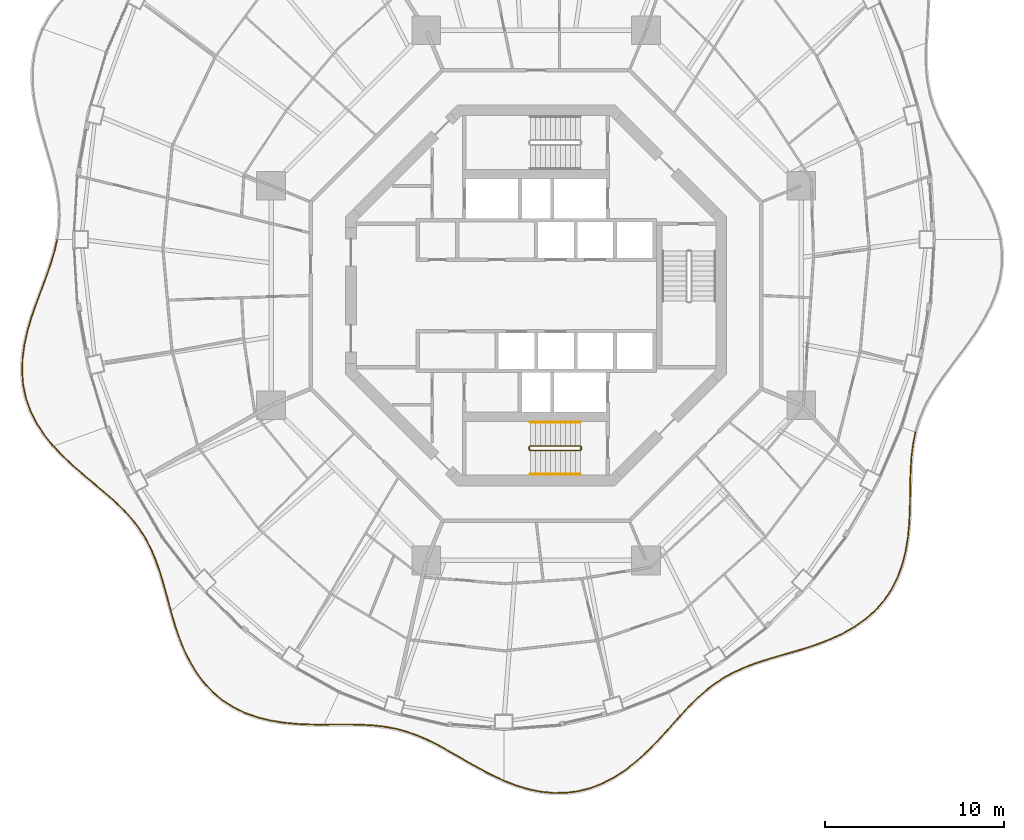
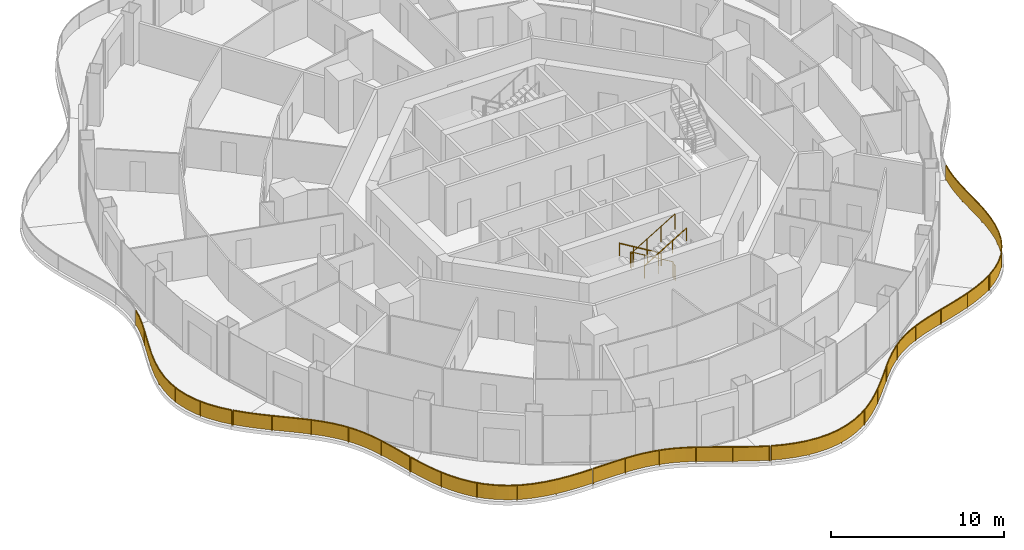
# One storey, part 16 of 18: 10 railings.
"""IFC4 building model written with IfcOpenShell, lengths in metres."""

from ifc_helpers import new_model, si_unit, direction, frame, origin, origin_2d, place, context, subcontext, project, spatial, polyline, rectangle, circle, outline, extrude, material, type_object, element, save


model = new_model("IFC4")

# Units and contexts
model_context = context("Model", 3, precision=1e-05, world=origin(), true_north=direction((0.0, 1.0)))
body_context = subcontext(model_context, "Body", "Model", "MODEL_VIEW")
ifc_project = project(units=[si_unit("LENGTHUNIT", "METRE"), si_unit("AREAUNIT", "SQUARE_METRE"), si_unit("VOLUMEUNIT", "CUBIC_METRE"), si_unit("PLANEANGLEUNIT", "RADIAN"), si_unit("MASSUNIT", "GRAM", prefix="KILO")], contexts=[model_context])

# Site, building, storey
site_placement = place(None, origin())
site = spatial("IfcSite", under=ifc_project, at=site_placement, CompositionType="ELEMENT")
building_placement = place(site_placement, origin())
building = spatial("IfcBuilding", under=site, at=building_placement, Name="Nagisa Residences", CompositionType="ELEMENT")
storey_placement = place(building_placement, frame((0.0, 0.0, 241.800048828125)))
storey = spatial("IfcBuildingStorey", under=building, at=storey_placement, Name="L61", CompositionType="ELEMENT", Elevation=241.800048828125)

# Railings
ifc_material_1 = material(Name="Stainless steel 316", Category="steel")
railing_type_1 = type_object("IfcRailingType", Name="BALCONY GUARD 1100", PredefinedType="BALUSTRADE", material=ifc_material_1)
railing_1_placement = place(storey_placement, frame((-26.71826171875, 3.08349609375, 0.0)))
element("IfcRailing", 1, at=railing_1_placement, inside=storey, type_object=railing_type_1, Name="guard:L61:bal08-0", PredefinedType="BALUSTRADE", context=body_context, shape_type="SweptSolid", body=[
    extrude(outline(polyline([(-0.12744140625, -0.65771484375), (0.0244140625, -0.005615234375), (-0.0244140625, 0.005615234375), (-0.17578125, -0.64501953125), (-0.386962890625, -1.345947265625), (-0.63671875, -2.060302734375), (-0.908447265625, -2.789794921875), (-1.184326171875, -3.534912109375), (-1.446533203125, -4.2802734375), (-1.672607421875, -5.05029296875), (-1.845947265625, -5.82666015625), (-1.95068359375, -6.60400390625), (-1.974365234375, -7.375244140625), (-1.91064453125, -8.119873046875), (-1.748779296875, -8.85888671875), (-1.491943359375, -9.572509765625), (-1.144775390625, -10.255615234375), (-0.7158203125, -10.905029296875), (-0.244873046875, -11.482421875), (-0.206298828125, -11.45068359375), (-0.67529296875, -10.875244140625), (-1.101318359375, -10.230224609375), (-1.446044921875, -9.552490234375), (-1.700439453125, -8.84521484375), (-1.86083984375, -8.112548828125), (-1.924072265625, -7.373779296875), (-1.90087890625, -6.60791015625), (-1.796630859375, -5.83544921875), (-1.624267578125, -5.06298828125), (-1.398681640625, -4.29541015625), (-1.137451171875, -3.552001953125), (-0.861572265625, -2.807373046875), (-0.58984375, -2.077392578125), (-0.339599609375, -1.361572265625), (-0.12744140625, -0.65771484375)])), frame((0.0, 0.0, 1.050048828125)), (0.0, 0.0, 1.0), 0.050048828125),
    extrude(outline(polyline([(-0.144775390625, -0.653076171875), (0.0068359375, -0.00146484375), (-0.0068359375, 0.00146484375), (-0.158447265625, -0.649658203125), (-0.369873046875, -1.3515625), (-0.619873046875, -2.06640625), (-0.8916015625, -2.796142578125), (-1.16748046875, -3.541015625), (-1.42919921875, -4.28564453125), (-1.6552734375, -5.054931640625), (-1.828125, -5.829833984375), (-1.932861328125, -6.60546875), (-1.956298828125, -7.374755859375), (-1.892578125, -8.1171875), (-1.7314453125, -8.85400390625), (-1.475341796875, -9.565185546875), (-1.129150390625, -10.246337890625), (-0.701171875, -10.894287109375), (-0.23095703125, -11.470947265625), (-0.22021484375, -11.462158203125), (-0.68994140625, -10.885986328125), (-1.116943359375, -10.239501953125), (-1.462646484375, -9.559814453125), (-1.7177734375, -8.85009765625), (-1.87890625, -8.115234375), (-1.942138671875, -7.374267578125), (-1.918701171875, -6.6064453125), (-1.814453125, -5.832275390625), (-1.6416015625, -5.058349609375), (-1.416015625, -4.2900390625), (-1.154296875, -3.5458984375), (-0.87841796875, -2.801025390625), (-0.606689453125, -2.0712890625), (-0.356689453125, -1.35595703125), (-0.144775390625, -0.653076171875)])), frame((0.0, 0.0, 0.06005859375)), (0.0, 0.0, 1.0), 0.989990234375),
    extrude(rectangle(XDim=0.0400390625, YDim=0.0400390625, at=origin_2d()), origin(), (0.0, 0.0, 1.0), 1.050048828125),
    extrude(rectangle(XDim=0.0400390625, YDim=0.0400390625, at=origin_2d()), frame((-0.57177734375, -1.949951171875, 0.0)), (0.0, 0.0, 1.0), 1.050048828125),
    extrude(rectangle(XDim=0.0400390625, YDim=0.0400390625, at=origin_2d()), frame((-1.27197265625, -3.859130859375, 0.0)), (0.0, 0.0, 1.0), 1.050048828125),
    extrude(rectangle(XDim=0.0400390625, YDim=0.0400390625, at=origin_2d()), frame((-1.81787109375, -5.816162109375, 0.0)), (0.0, 0.0, 1.0), 1.050048828125),
    extrude(rectangle(XDim=0.0400390625, YDim=0.0400390625, at=origin_2d()), frame((-1.909423828125, -7.840576171875, 0.0)), (0.0, 0.0, 1.0), 1.050048828125),
    extrude(rectangle(XDim=0.0400390625, YDim=0.0400390625, at=origin_2d()), frame((-1.356201171875, -9.784423828125, 0.0)), (0.0, 0.0, 1.0), 1.050048828125),
    extrude(rectangle(XDim=0.0400390625, YDim=0.0400390625, at=origin_2d()), frame((-0.2255859375, -11.466552734375, 0.0)), (0.0, 0.0, 1.0), 1.050048828125),
])
railing_2_placement = place(storey_placement, frame((-26.89208984375, -8.440673828125, 0.0)))
element("IfcRailing", 2, at=railing_2_placement, inside=storey, type_object=railing_type_1, Name="guard:L61:bal09-0", PredefinedType="BALUSTRADE", context=body_context, shape_type="SweptSolid", body=[
    extrude(outline(polyline([(0.52099609375, -0.51025390625), (0.01806640625, 0.017333984375), (-0.01806640625, -0.017333984375), (0.48583984375, -0.5458984375), (1.054931640625, -1.0810546875), (1.642333984375, -1.5927734375), (2.231689453125, -2.0869140625), (2.807373046875, -2.57177734375), (3.34912109375, -3.042236328125), (3.858642578125, -3.533203125), (4.3212890625, -4.0400390625), (4.732421875, -4.570556640625), (5.091552734375, -5.131103515625), (5.39306640625, -5.713623046875), (5.659423828125, -6.3447265625), (5.891357421875, -7.01220703125), (6.1005859375, -7.712158203125), (6.2998046875, -8.43896484375), (6.489013671875, -9.140625), (6.537353515625, -9.12744140625), (6.34814453125, -8.42578125), (6.14892578125, -7.698486328125), (5.939208984375, -6.99658203125), (5.706298828125, -6.32666015625), (5.4384765625, -5.692138671875), (5.135009765625, -5.106201171875), (4.7734375, -4.541748046875), (4.359375, -4.0078125), (3.894287109375, -3.498046875), (3.3828125, -3.005126953125), (2.840087890625, -2.53369140625), (2.263916015625, -2.048828125), (1.675048828125, -1.5546875), (1.088623046875, -1.0439453125), (0.52099609375, -0.51025390625)])), frame((0.0, 0.0, 1.050048828125)), (0.0, 0.0, 1.0), 0.050048828125),
    extrude(outline(polyline([(0.50830078125, -0.523193359375), (0.005126953125, 0.0048828125), (-0.005126953125, -0.0048828125), (0.49853515625, -0.532958984375), (1.067138671875, -1.067626953125), (1.654052734375, -1.5791015625), (2.243408203125, -2.0732421875), (2.819091796875, -2.55810546875), (3.361328125, -3.02880859375), (3.871337890625, -3.5205078125), (4.3349609375, -4.0283203125), (4.747314453125, -4.560302734375), (5.107177734375, -5.1220703125), (5.409423828125, -5.705810546875), (5.67626953125, -6.338134765625), (5.90869140625, -7.006591796875), (6.117919921875, -7.707275390625), (6.317138671875, -8.434326171875), (6.50634765625, -9.1357421875), (6.52001953125, -9.13232421875), (6.330810546875, -8.430419921875), (6.131591796875, -7.703369140625), (5.921875, -7.002197265625), (5.689453125, -6.333251953125), (5.422119140625, -5.699951171875), (5.119384765625, -5.115234375), (4.758544921875, -4.552001953125), (4.345703125, -4.01953125), (3.881591796875, -3.5107421875), (3.37060546875, -3.0185546875), (2.828369140625, -2.54736328125), (2.252197265625, -2.0625), (1.663330078125, -1.568359375), (1.076416015625, -1.057373046875), (0.50830078125, -0.523193359375)])), frame((0.0, 0.0, 0.06005859375)), (0.0, 0.0, 1.0), 0.989990234375),
    extrude(rectangle(XDim=0.0400390625, YDim=0.0400390625, at=origin_2d()), origin(), (0.0, 0.0, 1.0), 1.050048828125),
    extrude(rectangle(XDim=0.0400390625, YDim=0.0400390625, at=origin_2d()), frame((1.672607421875, -1.58544921875, 0.0)), (0.0, 0.0, 1.0), 1.050048828125),
    extrude(rectangle(XDim=0.0400390625, YDim=0.0400390625, at=origin_2d()), frame((3.4267578125, -3.082275390625, 0.0)), (0.0, 0.0, 1.0), 1.050048828125),
    extrude(rectangle(XDim=0.0400390625, YDim=0.0400390625, at=origin_2d()), frame((4.92578125, -4.825927734375, 0.0)), (0.0, 0.0, 1.0), 1.050048828125),
    extrude(rectangle(XDim=0.0400390625, YDim=0.0400390625, at=origin_2d()), frame((5.88427734375, -6.91552734375, 0.0)), (0.0, 0.0, 1.0), 1.050048828125),
    extrude(rectangle(XDim=0.0400390625, YDim=0.0400390625, at=origin_2d()), frame((6.51318359375, -9.134033203125, 0.0)), (0.0, 0.0, 1.0), 1.050048828125),
])
railing_3_placement = place(storey_placement, frame((-20.359619140625, -17.648681640625, 0.0)))
element("IfcRailing", 3, at=railing_3_placement, inside=storey, type_object=railing_type_1, Name="guard:L61:bal10-0", PredefinedType="BALUSTRADE", context=body_context, shape_type="SweptSolid", body=[
    extrude(outline(polyline([(0.218994140625, -0.666259765625), (0.02392578125, 0.007080078125), (-0.02392578125, -0.007080078125), (0.171142578125, -0.681396484375), (0.409912109375, -1.394775390625), (0.687255859375, -2.0927734375), (1.011962890625, -2.763916015625), (1.39013671875, -3.396240234375), (1.8134765625, -3.968994140625), (2.308349609375, -4.494140625), (2.8603515625, -4.953857421875), (3.46630859375, -5.343505859375), (4.11962890625, -5.661865234375), (4.801025390625, -5.9013671875), (5.5224609375, -6.081298828125), (6.267333984375, -6.203125), (7.02294921875, -6.275146484375), (7.780517578125, -6.30859375), (8.485595703125, -6.3134765625), (8.486083984375, -6.263671875), (7.781982421875, -6.2587890625), (7.0263671875, -6.225341796875), (6.273681640625, -6.1533203125), (5.53271484375, -6.032470703125), (4.815185546875, -5.853515625), (4.13916015625, -5.615478515625), (3.49072265625, -5.300048828125), (2.89013671875, -4.913330078125), (2.342529296875, -4.45751953125), (1.85205078125, -3.936767578125), (1.431640625, -3.368408203125), (1.055908203125, -2.739990234375), (0.733154296875, -2.07275390625), (0.456787109375, -1.377685546875), (0.218994140625, -0.666259765625)])), frame((0.0, 0.0, 1.050048828125)), (0.0, 0.0, 1.0), 0.050048828125),
    extrude(outline(polyline([(0.20166015625, -0.671630859375), (0.0068359375, 0.001953125), (-0.0068359375, -0.001953125), (0.1884765625, -0.676025390625), (0.4267578125, -1.388671875), (0.703857421875, -2.085693359375), (1.02783203125, -2.75537109375), (1.405029296875, -3.38623046875), (1.827392578125, -3.957275390625), (2.320556640625, -4.48095703125), (2.87109375, -4.939208984375), (3.47509765625, -5.327880859375), (4.126708984375, -5.645263671875), (4.80615234375, -5.884033203125), (5.526123046875, -6.063720703125), (6.26953125, -6.18505859375), (7.024169921875, -6.25732421875), (7.781005859375, -6.290771484375), (8.48583984375, -6.295654296875), (8.48583984375, -6.281494140625), (7.781494140625, -6.276611328125), (7.025146484375, -6.2431640625), (6.271484375, -6.17138671875), (5.529052734375, -6.050048828125), (4.81005859375, -5.870849609375), (4.132080078125, -5.632080078125), (3.48193359375, -5.315673828125), (2.87939453125, -4.927978515625), (2.330322265625, -4.470703125), (1.838134765625, -3.948486328125), (1.416748046875, -3.37841796875), (1.0400390625, -2.74853515625), (0.716552734375, -2.079833984375), (0.43994140625, -1.3837890625), (0.20166015625, -0.671630859375)])), frame((0.0, 0.0, 0.06005859375)), (0.0, 0.0, 1.0), 0.989990234375),
    extrude(rectangle(XDim=0.0400390625, YDim=0.0400390625, at=origin_2d()), origin(), (0.0, 0.0, 1.0), 1.050048828125),
    extrude(rectangle(XDim=0.0400390625, YDim=0.0400390625, at=origin_2d()), frame((0.77001953125, -2.20654296875, 0.0)), (0.0, 0.0, 1.0), 1.050048828125),
    extrude(rectangle(XDim=0.0400390625, YDim=0.0400390625, at=origin_2d()), frame((2.03125, -4.16357421875, 0.0)), (0.0, 0.0, 1.0), 1.050048828125),
    extrude(rectangle(XDim=0.0400390625, YDim=0.0400390625, at=origin_2d()), frame((3.908203125, -5.531005859375, 0.0)), (0.0, 0.0, 1.0), 1.050048828125),
    extrude(rectangle(XDim=0.0400390625, YDim=0.0400390625, at=origin_2d()), frame((6.15185546875, -6.158935546875, 0.0)), (0.0, 0.0, 1.0), 1.050048828125),
    extrude(rectangle(XDim=0.0400390625, YDim=0.0400390625, at=origin_2d()), frame((8.48583984375, -6.28857421875, 0.0)), (0.0, 0.0, 1.0), 1.050048828125),
])
railing_4_placement = place(storey_placement, frame((-11.797607421875, -23.935791015625, 0.0)))
element("IfcRailing", 4, at=railing_4_placement, inside=storey, type_object=railing_type_1, Name="guard:L61:bal11-0", PredefinedType="BALUSTRADE", context=body_context, shape_type="SweptSolid", body=[
    extrude(outline(polyline([(0.664306640625, 0.0302734375), (-0.000244140625, 0.02490234375), (0.000244140625, -0.02490234375), (0.664794921875, -0.01953125), (1.35791015625, -0.0185546875), (2.031005859375, -0.031005859375), (2.682373046875, -0.068115234375), (3.31298828125, -0.138427734375), (3.908203125, -0.244384765625), (4.5048828125, -0.399658203125), (5.091552734375, -0.601318359375), (5.673583984375, -0.847412109375), (6.256103515625, -1.134033203125), (6.827880859375, -1.451171875), (7.427978515625, -1.794677734375), (8.04296875, -2.14990234375), (8.675537109375, -2.50390625), (9.3271484375, -2.842529296875), (9.952392578125, -3.13427734375), (9.973388671875, -3.0888671875), (9.34912109375, -2.797607421875), (8.699462890625, -2.4599609375), (8.06787109375, -2.1064453125), (7.452880859375, -1.751220703125), (6.852294921875, -1.40771484375), (6.279541015625, -1.089599609375), (5.694580078125, -0.802001953125), (5.109619140625, -0.554443359375), (4.51953125, -0.351806640625), (3.9189453125, -0.195556640625), (3.3203125, -0.089111328125), (2.686767578125, -0.018310546875), (2.032958984375, 0.018798828125), (1.3583984375, 0.03173828125), (0.664306640625, 0.0302734375)])), frame((0.0, 0.0, 1.050048828125)), (0.0, 0.0, 1.0), 0.050048828125),
    extrude(outline(polyline([(0.66455078125, 0.012451171875), (0.0, 0.007080078125), (0.0, -0.007080078125), (0.66455078125, -0.001708984375), (1.358154296875, -0.00048828125), (2.03173828125, -0.01318359375), (2.68408203125, -0.05029296875), (3.315673828125, -0.12060546875), (3.912109375, -0.226806640625), (4.51025390625, -0.38232421875), (5.09814453125, -0.58447265625), (5.68115234375, -0.8310546875), (6.2646484375, -1.117919921875), (6.836669921875, -1.435546875), (7.43701171875, -1.779052734375), (8.052001953125, -2.13427734375), (8.68408203125, -2.488037109375), (9.3349609375, -2.826416015625), (9.9599609375, -3.117919921875), (9.9658203125, -3.105224609375), (9.34130859375, -2.813720703125), (8.69091796875, -2.475830078125), (8.058837890625, -2.1220703125), (7.44384765625, -1.766845703125), (6.843505859375, -1.42333984375), (6.27099609375, -1.105712890625), (5.68701171875, -0.818359375), (5.10302734375, -0.5712890625), (4.51416015625, -0.369140625), (3.9150390625, -0.213134765625), (3.317626953125, -0.10693359375), (2.68505859375, -0.0361328125), (2.0322265625, 0.0009765625), (1.358154296875, 0.013671875), (0.66455078125, 0.012451171875)])), frame((0.0, 0.0, 0.06005859375)), (0.0, 0.0, 1.0), 0.989990234375),
    extrude(rectangle(XDim=0.0400390625, YDim=0.0400390625, at=origin_2d()), origin(), (0.0, 0.0, 1.0), 1.050048828125),
    extrude(rectangle(XDim=0.0400390625, YDim=0.0400390625, at=origin_2d()), frame((2.130859375, -0.01171875, 0.0)), (0.0, 0.0, 1.0), 1.050048828125),
    extrude(rectangle(XDim=0.0400390625, YDim=0.0400390625, at=origin_2d()), frame((4.2373046875, -0.30419921875, 0.0)), (0.0, 0.0, 1.0), 1.050048828125),
    extrude(rectangle(XDim=0.0400390625, YDim=0.0400390625, at=origin_2d()), frame((6.21484375, -1.085693359375, 0.0)), (0.0, 0.0, 1.0), 1.050048828125),
    extrude(rectangle(XDim=0.0400390625, YDim=0.0400390625, at=origin_2d()), frame((8.069091796875, -2.135986328125, 0.0)), (0.0, 0.0, 1.0), 1.050048828125),
    extrude(rectangle(XDim=0.0400390625, YDim=0.0400390625, at=origin_2d()), frame((9.962890625, -3.111572265625, 0.0)), (0.0, 0.0, 1.0), 1.050048828125),
])
railing_5_placement = place(storey_placement, frame((-1.76416015625, -27.07861328125, 0.0)))
element("IfcRailing", 5, at=railing_5_placement, inside=storey, type_object=railing_type_1, Name="guard:L61:bal12-0", PredefinedType="BALUSTRADE", context=body_context, shape_type="SweptSolid", body=[
    extrude(outline(polyline([(0.648193359375, -0.2275390625), (0.009033203125, 0.023193359375), (-0.009033203125, -0.023193359375), (0.631591796875, -0.27490234375), (1.331298828125, -0.4853515625), (2.03955078125, -0.62939453125), (2.750732421875, -0.6982421875), (3.456787109375, -0.6865234375), (4.140380859375, -0.593994140625), (4.823974609375, -0.416015625), (5.486083984375, -0.15869140625), (6.123046875, 0.172119140625), (6.731689453125, 0.56689453125), (7.29345703125, 1.009765625), (7.842529296875, 1.498291015625), (8.364013671875, 2.01416015625), (8.86181640625, 2.5439453125), (9.341064453125, 3.07373046875), (9.775634765625, 3.560302734375), (9.738525390625, 3.593505859375), (9.303955078125, 3.107421875), (8.8251953125, 2.57763671875), (8.328369140625, 2.04931640625), (7.808349609375, 1.534912109375), (7.26123046875, 1.04833984375), (6.702392578125, 0.607421875), (6.09765625, 0.215576171875), (5.465576171875, -0.11279296875), (4.808349609375, -0.3681640625), (4.130615234375, -0.544677734375), (3.452880859375, -0.63671875), (2.752685546875, -0.64794921875), (2.046875, -0.57958984375), (1.343505859375, -0.4365234375), (0.648193359375, -0.2275390625)])), frame((0.0, 0.0, 1.050048828125)), (0.0, 0.0, 1.0), 0.050048828125),
    extrude(outline(polyline([(0.64208984375, -0.24462890625), (0.00244140625, 0.006591796875), (-0.00244140625, -0.006591796875), (0.6376953125, -0.2578125), (1.335693359375, -0.4677734375), (2.042236328125, -0.611328125), (2.75146484375, -0.68017578125), (3.455322265625, -0.668701171875), (4.136962890625, -0.576171875), (4.818359375, -0.398681640625), (5.478759765625, -0.14208984375), (6.11376953125, 0.187744140625), (6.72119140625, 0.58154296875), (7.28173828125, 1.023681640625), (7.830322265625, 1.511474609375), (8.351318359375, 2.02685546875), (8.8486328125, 2.55615234375), (9.32763671875, 3.0859375), (9.76220703125, 3.572265625), (9.751953125, 3.58154296875), (9.3173828125, 3.09521484375), (8.83837890625, 2.5654296875), (8.341064453125, 2.03662109375), (7.820556640625, 1.521728515625), (7.27294921875, 1.034423828125), (6.712890625, 0.5927734375), (6.10693359375, 0.199951171875), (5.472900390625, -0.12939453125), (4.81396484375, -0.385498046875), (4.134033203125, -0.5625), (3.454345703125, -0.654541015625), (2.751953125, -0.666015625), (2.044189453125, -0.59765625), (1.339111328125, -0.4541015625), (0.64208984375, -0.24462890625)])), frame((0.0, 0.0, 0.06005859375)), (0.0, 0.0, 1.0), 0.989990234375),
    extrude(rectangle(XDim=0.0400390625, YDim=0.0400390625, at=origin_2d()), origin(), (0.0, 0.0, 1.0), 1.050048828125),
    extrude(rectangle(XDim=0.0400390625, YDim=0.0400390625, at=origin_2d()), frame((2.178466796875, -0.61767578125, 0.0)), (0.0, 0.0, 1.0), 1.050048828125),
    extrude(rectangle(XDim=0.0400390625, YDim=0.0400390625, at=origin_2d()), frame((4.431396484375, -0.4921875, 0.0)), (0.0, 0.0, 1.0), 1.050048828125),
    extrude(rectangle(XDim=0.0400390625, YDim=0.0400390625, at=origin_2d()), frame((6.4892578125, 0.439453125, 0.0)), (0.0, 0.0, 1.0), 1.050048828125),
    extrude(rectangle(XDim=0.0400390625, YDim=0.0400390625, at=origin_2d()), frame((8.21875, 1.905517578125, 0.0)), (0.0, 0.0, 1.0), 1.050048828125),
    extrude(rectangle(XDim=0.0400390625, YDim=0.0400390625, at=origin_2d()), frame((9.757080078125, 3.576904296875, 0.0)), (0.0, 0.0, 1.0), 1.050048828125),
])
railing_6_placement = place(storey_placement, frame((8.041748046875, -23.445068359375, 0.0)))
element("IfcRailing", 6, at=railing_6_placement, inside=storey, type_object=railing_type_1, Name="guard:L61:bal13-0", PredefinedType="BALUSTRADE", context=body_context, shape_type="SweptSolid", body=[
    extrude(outline(polyline([(0.428955078125, 0.499267578125), (-0.018310546875, 0.01708984375), (0.018310546875, -0.01708984375), (0.465087890625, 0.464599609375), (0.946044921875, 0.94384765625), (1.43798828125, 1.382568359375), (1.9482421875, 1.776123046875), (2.48291015625, 2.124267578125), (3.033447265625, 2.419921875), (3.6298828125, 2.6865234375), (4.2587890625, 2.922119140625), (4.91796875, 3.13623046875), (5.602783203125, 3.33984375), (6.294677734375, 3.533203125), (7.00830078125, 3.74951171875), (7.721435546875, 3.98974609375), (8.422119140625, 4.263427734375), (9.09912109375, 4.57958984375), (9.699951171875, 4.919677734375), (9.675537109375, 4.963134765625), (9.076171875, 4.6240234375), (8.402587890625, 4.309326171875), (7.704345703125, 4.03662109375), (6.9931640625, 3.79736328125), (6.280517578125, 3.5810546875), (5.589111328125, 3.3876953125), (4.9033203125, 3.18408203125), (4.2421875, 2.969482421875), (3.61083984375, 2.73291015625), (3.011474609375, 2.46484375), (2.45751953125, 2.167236328125), (1.91943359375, 1.817138671875), (1.40625, 1.421142578125), (0.911865234375, 0.98046875), (0.428955078125, 0.499267578125)])), frame((0.0, 0.0, 1.050048828125)), (0.0, 0.0, 1.0), 0.050048828125),
    extrude(outline(polyline([(0.44189453125, 0.48681640625), (-0.005126953125, 0.004638671875), (0.005126953125, -0.004638671875), (0.4521484375, 0.47705078125), (0.933837890625, 0.95703125), (1.426513671875, 1.396484375), (1.93798828125, 1.791015625), (2.473876953125, 2.1396484375), (3.025634765625, 2.43603515625), (3.623046875, 2.703125), (4.252685546875, 2.939208984375), (4.912841796875, 3.153564453125), (5.597900390625, 3.35693359375), (6.28955078125, 3.55029296875), (7.0029296875, 3.766845703125), (7.71533203125, 4.006591796875), (8.4150390625, 4.280029296875), (9.0908203125, 4.595458984375), (9.691162109375, 4.935302734375), (9.684326171875, 4.947509765625), (9.08447265625, 4.608154296875), (8.40966796875, 4.292724609375), (7.71044921875, 4.019775390625), (6.99853515625, 3.780029296875), (6.28564453125, 3.56396484375), (5.593994140625, 3.37060546875), (4.908447265625, 3.166748046875), (4.248291015625, 2.952392578125), (3.61767578125, 2.71630859375), (3.019287109375, 2.44873046875), (2.466552734375, 2.15185546875), (1.9296875, 1.80224609375), (1.417724609375, 1.4072265625), (0.924072265625, 0.96728515625), (0.44189453125, 0.48681640625)])), frame((0.0, 0.0, 0.06005859375)), (0.0, 0.0, 1.0), 0.989990234375),
    extrude(rectangle(XDim=0.0400390625, YDim=0.0400390625, at=origin_2d()), origin(), (0.0, 0.0, 1.0), 1.050048828125),
    extrude(rectangle(XDim=0.0400390625, YDim=0.0400390625, at=origin_2d()), frame((1.589599609375, 1.531005859375, 0.0)), (0.0, 0.0, 1.0), 1.050048828125),
    extrude(rectangle(XDim=0.0400390625, YDim=0.0400390625, at=origin_2d()), frame((3.486328125, 2.649658203125, 0.0)), (0.0, 0.0, 1.0), 1.050048828125),
    extrude(rectangle(XDim=0.0400390625, YDim=0.0400390625, at=origin_2d()), frame((5.57763671875, 3.3583984375, 0.0)), (0.0, 0.0, 1.0), 1.050048828125),
    extrude(rectangle(XDim=0.0400390625, YDim=0.0400390625, at=origin_2d()), frame((7.690185546875, 4.005615234375, 0.0)), (0.0, 0.0, 1.0), 1.050048828125),
    extrude(rectangle(XDim=0.0400390625, YDim=0.0400390625, at=origin_2d()), frame((9.687744140625, 4.94140625, 0.0)), (0.0, 0.0, 1.0), 1.050048828125),
])
railing_7_placement = place(storey_placement, frame((17.794921875, -18.462890625, 0.0)))
element("IfcRailing", 7, at=railing_7_placement, inside=storey, type_object=railing_type_1, Name="guard:L61:bal14-0", PredefinedType="BALUSTRADE", context=body_context, shape_type="SweptSolid", body=[
    extrude(outline(polyline([(0.56787109375, 0.4306640625), (-0.014404296875, 0.0205078125), (0.014404296875, -0.0205078125), (0.59912109375, 0.3916015625), (1.1591796875, 0.893310546875), (1.64892578125, 1.455322265625), (2.062255859375, 2.07373046875), (2.396484375, 2.741943359375), (2.648193359375, 3.4423828125), (2.83642578125, 4.18701171875), (2.96240234375, 4.954345703125), (3.03759765625, 5.73388671875), (3.075927734375, 6.515380859375), (3.086181640625, 7.27685546875), (3.097900390625, 8.036376953125), (3.1201171875, 8.775146484375), (3.16748046875, 9.4892578125), (3.253173828125, 10.1767578125), (3.378662109375, 10.798583984375), (3.329833984375, 10.808349609375), (3.203857421875, 10.18505859375), (3.11767578125, 9.494140625), (3.0703125, 8.777587890625), (3.048095703125, 8.037353515625), (3.036376953125, 7.27734375), (3.026123046875, 6.516845703125), (2.98779296875, 5.7373046875), (2.91259765625, 4.960693359375), (2.78759765625, 4.197265625), (2.600341796875, 3.45703125), (2.3505859375, 2.761474609375), (2.018798828125, 2.09912109375), (1.60888671875, 1.485595703125), (1.12353515625, 0.928466796875), (0.56787109375, 0.4306640625)])), frame((0.0, 0.0, 1.050048828125)), (0.0, 0.0, 1.0), 0.050048828125),
    extrude(outline(polyline([(0.5791015625, 0.41650390625), (-0.004150390625, 0.005615234375), (0.004150390625, -0.005615234375), (0.587890625, 0.40576171875), (1.146240234375, 0.906005859375), (1.634521484375, 1.46630859375), (2.046630859375, 2.0830078125), (2.3798828125, 2.7490234375), (2.630859375, 3.44775390625), (2.81884765625, 4.190673828125), (2.9443359375, 4.95654296875), (3.019775390625, 5.735107421875), (3.05810546875, 6.515869140625), (3.068359375, 7.277099609375), (3.080078125, 8.03662109375), (3.102294921875, 8.776123046875), (3.149658203125, 9.490966796875), (3.2353515625, 10.1796875), (3.361083984375, 10.802001953125), (3.347412109375, 10.804931640625), (3.2216796875, 10.18212890625), (3.135498046875, 9.492431640625), (3.088134765625, 8.776611328125), (3.06591796875, 8.037109375), (3.05419921875, 7.277099609375), (3.0439453125, 6.516357421875), (3.005615234375, 5.736083984375), (2.9306640625, 4.95849609375), (2.80517578125, 4.193603515625), (2.61767578125, 3.45166015625), (2.3671875, 2.75439453125), (2.034423828125, 2.08984375), (1.623291015625, 1.474609375), (1.136474609375, 0.915771484375), (0.5791015625, 0.41650390625)])), frame((0.0, 0.0, 0.06005859375)), (0.0, 0.0, 1.0), 0.989990234375),
    extrude(rectangle(XDim=0.0400390625, YDim=0.0400390625, at=origin_2d()), origin(), (0.0, 0.0, 1.0), 1.050048828125),
    extrude(rectangle(XDim=0.0400390625, YDim=0.0400390625, at=origin_2d()), frame((1.719970703125, 1.606689453125, 0.0)), (0.0, 0.0, 1.0), 1.050048828125),
    extrude(rectangle(XDim=0.0400390625, YDim=0.0400390625, at=origin_2d()), frame((2.69921875, 3.746337890625, 0.0)), (0.0, 0.0, 1.0), 1.050048828125),
    extrude(rectangle(XDim=0.0400390625, YDim=0.0400390625, at=origin_2d()), frame((3.030029296875, 6.086669921875, 0.0)), (0.0, 0.0, 1.0), 1.050048828125),
    extrude(rectangle(XDim=0.0400390625, YDim=0.0400390625, at=origin_2d()), frame((3.08544921875, 8.454345703125, 0.0)), (0.0, 0.0, 1.0), 1.050048828125),
    extrude(rectangle(XDim=0.0400390625, YDim=0.0400390625, at=origin_2d()), frame((3.354248046875, 10.803466796875, 0.0)), (0.0, 0.0, 1.0), 1.050048828125),
])
ifc_material_2 = material(Name="Stainless steel", Category="steel")
railing_type_2 = type_object("IfcRailingType", Name="Stair guard 1100", PredefinedType="GUARDRAIL", material=ifc_material_2)
railing_8_placement = place(storey_placement, frame((2.52490234375, -8.599609375, 0.0)))
element("IfcRailing", 8, at=railing_8_placement, inside=storey, type_object=railing_type_2, Name="L61 ST-S stair guard 1", PredefinedType="GUARDRAIL", context=body_context, shape_type="SweptSolid", body=[
    extrude(circle(Radius=0.02392578125, at=origin_2d()), frame((0.0, 0.0, 1.076171875), z_axis=(0.0, 1.0, 0.0), x_axis=(-1.0, 0.0, 0.0)), (0.0, 0.0, 1.0), 0.14990234375),
    extrude(circle(Radius=0.02392578125, at=origin_2d()), frame((0.0, 0.14990234375, 1.076171875), z_axis=(-0.273006030465, 0.27434429532, 0.922064485248), x_axis=(-0.708833529934, -0.705375805398, 0.0)), (0.0, 0.0, 1.0), 0.182373046875),
    extrude(circle(Radius=0.02392578125, at=origin_2d()), frame((-0.0498046875, 0.199951171875, 1.244140625), z_axis=(-0.857275202839, 0.0, 0.514858452973), x_axis=(0.0, -1.0, 0.0)), (0.0, 0.0, 1.0), 3.26611328125),
    extrude(circle(Radius=0.02392578125, at=origin_2d()), frame((-2.849853515625, 0.199951171875, 2.92578125), z_axis=(-0.707106781187, -0.707106781187, 0.0), x_axis=(0.707106781187, -0.707106781187, 0.0)), (0.0, 0.0, 1.0), 0.07080078125),
    extrude(circle(Radius=0.02392578125, at=origin_2d()), frame((-2.89990234375, 0.14990234375, 2.92578125), z_axis=(0.0, -1.0, 0.0), x_axis=(1.0, 0.0, 0.0)), (0.0, 0.0, 1.0), 0.14990234375),
    extrude(circle(Radius=0.02392578125, at=origin_2d()), frame((-2.89990234375, 0.0, 2.92578125), z_axis=(0.274243871929, -0.274243871929, 0.92172696468), x_axis=(0.707106781187, 0.707106781187, 0.0)), (0.0, 0.0, 1.0), 0.1826171875),
    extrude(circle(Radius=0.02392578125, at=origin_2d()), frame((-2.849853515625, -0.050048828125, 3.09423828125), z_axis=(0.857242210791, 0.0, 0.514913383045), x_axis=(0.0, 1.0, 0.0)), (0.0, 0.0, 1.0), 3.266357421875),
    extrude(circle(Radius=0.02099609375, at=origin_2d()), origin(), (0.0, 0.0, 1.0), 1.052001953125),
    extrude(circle(Radius=0.02099609375, at=origin_2d()), frame((0.0, 0.14990234375, 0.0)), (0.0, 0.0, 1.0), 1.052001953125),
    extrude(circle(Radius=0.02099609375, at=origin_2d()), frame((-0.0498046875, 0.199951171875, 0.168212890625)), (0.0, 0.0, 1.0), 1.052001953125),
    extrude(circle(Radius=0.02099609375, at=origin_2d()), frame((-0.983154296875, 0.199951171875, 0.728759765625)), (0.0, 0.0, 1.0), 1.052001953125),
    extrude(circle(Radius=0.02099609375, at=origin_2d()), frame((-1.91650390625, 0.199951171875, 1.289306640625)), (0.0, 0.0, 1.0), 1.052001953125),
    extrude(circle(Radius=0.02099609375, at=origin_2d()), frame((-2.849853515625, 0.199951171875, 1.849853515625)), (0.0, 0.0, 1.0), 1.052001953125),
    extrude(circle(Radius=0.02099609375, at=origin_2d()), frame((-2.89990234375, 0.14990234375, 1.849853515625)), (0.0, 0.0, 1.0), 1.052001953125),
    extrude(circle(Radius=0.02099609375, at=origin_2d()), frame((-2.89990234375, 0.0, 1.849853515625)), (0.0, 0.0, 1.0), 1.052001953125),
    extrude(circle(Radius=0.02099609375, at=origin_2d()), frame((-2.849853515625, -0.050048828125, 2.01806640625)), (0.0, 0.0, 1.0), 1.052001953125),
    extrude(circle(Radius=0.02099609375, at=origin_2d()), frame((-1.91650390625, -0.050048828125, 2.57861328125)), (0.0, 0.0, 1.0), 1.052001953125),
    extrude(circle(Radius=0.02099609375, at=origin_2d()), frame((-0.983154296875, -0.050048828125, 3.139404296875)), (0.0, 0.0, 1.0), 1.052001953125),
    extrude(circle(Radius=0.02099609375, at=origin_2d()), frame((-0.0498046875, -0.050048828125, 3.699951171875)), (0.0, 0.0, 1.0), 1.052001953125),
])
ifc_material_3 = material(Name="Stainless steel", Category="steel")
railing_type_3 = type_object("IfcRailingType", Name="Stair handrail 900", PredefinedType="HANDRAIL", material=ifc_material_3)
railing_9_placement = place(storey_placement, frame((2.47509765625, -7.07470703125, 0.168212890625)))
element("IfcRailing", 9, at=railing_9_placement, inside=storey, type_object=railing_type_3, Name="L61 ST-S stair handrail 1", PredefinedType="HANDRAIL", context=body_context, shape_type="SweptSolid", body=[
    extrude(circle(Radius=0.02392578125, at=origin_2d()), frame((0.0, 0.0, 0.8759765625), z_axis=(-0.857275202839, 0.0, 0.514858452973), x_axis=(0.0, -1.0, 0.0)), (0.0, 0.0, 1.0), 3.26611328125),
    extrude(circle(Radius=0.02099609375, at=origin_2d()), origin(), (0.0, 0.0, 1.0), 0.851806640625),
    extrude(circle(Radius=0.02099609375, at=origin_2d()), frame((-0.933349609375, 0.0, 0.560546875)), (0.0, 0.0, 1.0), 0.851806640625),
    extrude(circle(Radius=0.02099609375, at=origin_2d()), frame((-1.86669921875, 0.0, 1.12109375)), (0.0, 0.0, 1.0), 0.851806640625),
    extrude(circle(Radius=0.02099609375, at=origin_2d()), frame((-2.800048828125, 0.0, 1.681640625)), (0.0, 0.0, 1.0), 0.851806640625),
])
railing_10_placement = place(storey_placement, frame((-0.324951171875, -9.974609375, 2.01806640625)))
element("IfcRailing", 10, at=railing_10_placement, inside=storey, type_object=railing_type_3, Name="L61 ST-S stair handrail 2", PredefinedType="HANDRAIL", context=body_context, shape_type="SweptSolid", body=[
    extrude(circle(Radius=0.02392578125, at=origin_2d()), frame((0.0, 0.0, 0.8759765625), z_axis=(0.857242210791, 0.0, 0.514913383045), x_axis=(0.0, 1.0, 0.0)), (0.0, 0.0, 1.0), 3.266357421875),
    extrude(circle(Radius=0.02099609375, at=origin_2d()), origin(), (0.0, 0.0, 1.0), 0.851806640625),
    extrude(circle(Radius=0.02099609375, at=origin_2d()), frame((0.933349609375, 0.0, 0.560546875)), (0.0, 0.0, 1.0), 0.851806640625),
    extrude(circle(Radius=0.02099609375, at=origin_2d()), frame((1.86669921875, 0.0, 1.121337890625)), (0.0, 0.0, 1.0), 0.851806640625),
    extrude(circle(Radius=0.02099609375, at=origin_2d()), frame((2.800048828125, 0.0, 1.681884765625)), (0.0, 0.0, 1.0), 0.851806640625),
])

save(model, "model.ifc")
